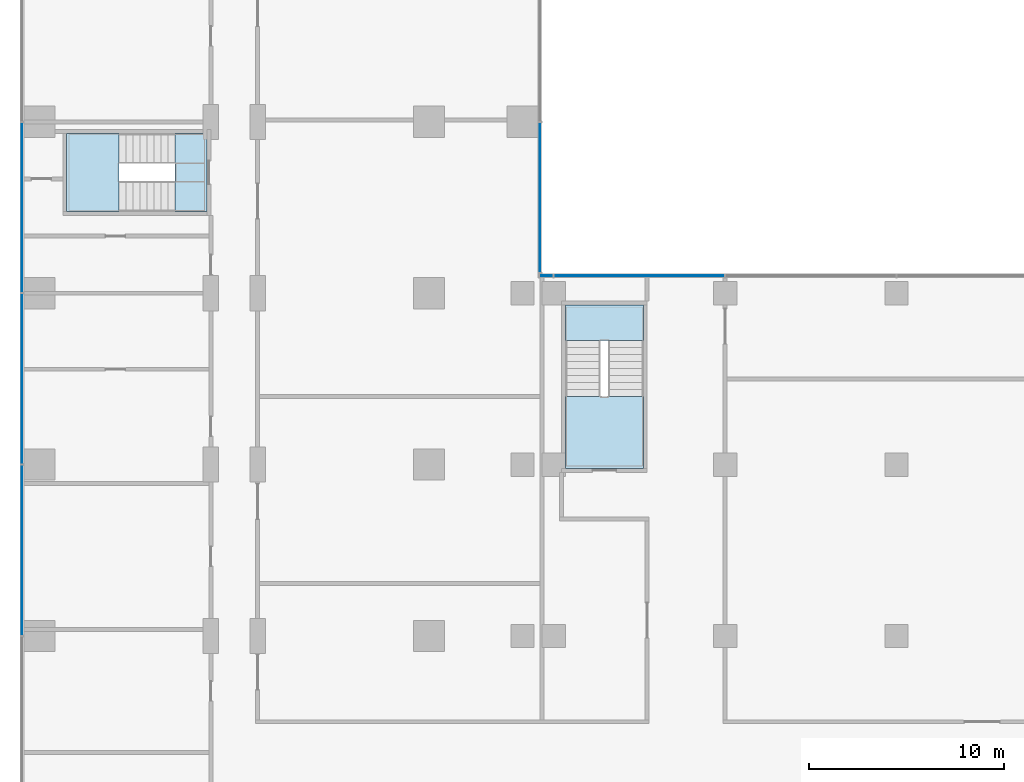
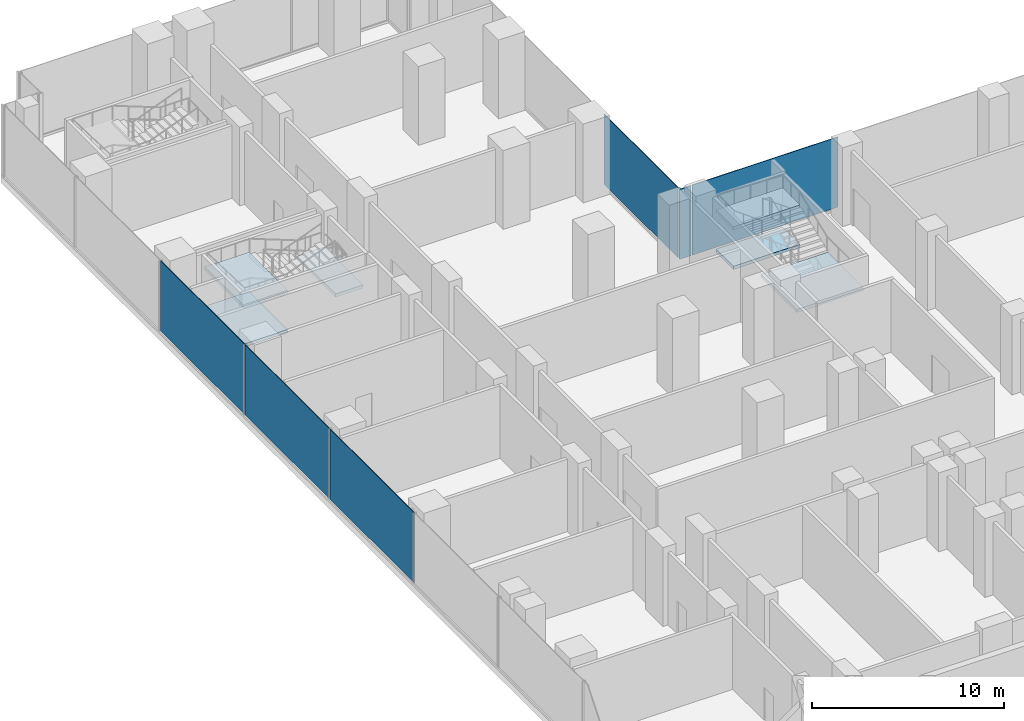
# One storey, part 14 of 30: 6 plates, 6 slabs, 5 elements without a shape of their own.
"""IFC4 building model written with IfcOpenShell, lengths in metres."""

from ifc_helpers import new_model, si_unit, direction, frame, origin, origin_2d, place, context, subcontext, project, spatial, polyline, rectangle, outline, extrude, source, transform, mapped, material, layer, layer_set, type_object, element, aggregate, save


model = new_model("IFC4")

# Units and contexts
model_context = context("Model", 3, precision=1e-05, world=origin(), true_north=direction((0.0, 1.0)))
body_context = subcontext(model_context, "Body", "Model", "MODEL_VIEW")
ifc_project = project(units=[si_unit("LENGTHUNIT", "METRE"), si_unit("AREAUNIT", "SQUARE_METRE"), si_unit("VOLUMEUNIT", "CUBIC_METRE"), si_unit("PLANEANGLEUNIT", "RADIAN"), si_unit("MASSUNIT", "GRAM", prefix="KILO")], contexts=[model_context])

# Site, building, storey
site_placement = place(None, origin())
site = spatial("IfcSite", under=ifc_project, at=site_placement, CompositionType="ELEMENT")
building_placement = place(site_placement, origin())
building = spatial("IfcBuilding", under=site, at=building_placement, Name="Kemantara Hotel Tower", CompositionType="ELEMENT")
storey_placement = place(building_placement, frame((0.0, 0.0, 13.0)))
storey = spatial("IfcBuildingStorey", under=building, at=storey_placement, Name="L02", CompositionType="ELEMENT", Elevation=13.0)

# Stair, slabs
ifc_material_1 = material(Name="Concrete fc 40 MPa", Category="concrete")
stair_type_1 = type_object("IfcStairType", Name="Stair 1550 wide 36 risers of 139 x 360 mm", PredefinedType="HALF_TURN_STAIR", material=ifc_material_1)
stair_1_placement = place(storey_placement, origin())
stair_1 = element("IfcStair", 1, at=stair_1_placement, inside=storey, type_object=stair_type_1, Name="L02 Exit stair ST4", PredefinedType="HALF_TURN_STAIR")
ifc_layer_1 = layer(ifc_material_1, 0.199951171875)
ifc_layer_set_1 = layer_set([ifc_layer_1], Name="Concrete fc 40 MPa")
slab_type = type_object("IfcSlabType", Name="Stair landing 200 mm", PredefinedType="LANDING", material=ifc_layer_set_1)
slab_1_placement = place(storey_placement, frame((0.0, 0.0, 1.050048828125)))
slab_1 = element("IfcSlab", 2, at=slab_1_placement, type_object=slab_type, Name="ST4 landing 1", PredefinedType="LANDING", context=body_context, shape_type="SweptSolid", body=[
    extrude(outline(polyline([(5.070068359375, 62.0), (2.39990234375, 62.0), (2.39990234375, 58.0), (5.070068359375, 58.0), (5.070068359375, 62.0)])), origin(), (0.0, 0.0, 1.0), 0.199951171875),
])
slab_2_placement = place(storey_placement, frame((0.0, 0.0, 2.300048828125)))
slab_2 = element("IfcSlab", 3, at=slab_2_placement, type_object=slab_type, Name="ST4 landing 2", PredefinedType="LANDING", context=body_context, shape_type="SweptSolid", body=[
    extrude(outline(polyline([(9.60009765625, 62.0), (7.949951171875, 62.0), (7.949951171875, 58.0), (9.60009765625, 58.0), (9.60009765625, 62.0)])), origin(), (0.0, 0.0, 1.0), 0.199951171875),
])
slab_3_placement = place(storey_placement, frame((0.0, 0.0, 3.550048828125)))
slab_3 = element("IfcSlab", 4, at=slab_3_placement, type_object=slab_type, Name="ST4 landing 3", PredefinedType="LANDING", context=body_context, shape_type="SweptSolid", body=[
    extrude(outline(polyline([(5.070068359375, 62.0), (2.39990234375, 62.0), (2.39990234375, 58.0), (5.070068359375, 58.0), (5.070068359375, 62.0)])), origin(), (0.0, 0.0, 1.0), 0.199951171875),
])
aggregate(stair_1, [slab_1, slab_2, slab_3])

stair_type_2 = type_object("IfcStairType", Name="Stair 1800 wide 36 risers of 139 x 360 mm", PredefinedType="HALF_TURN_STAIR", material=ifc_material_1)
stair_2_placement = place(storey_placement, origin())
stair_2 = element("IfcStair", 5, at=stair_2_placement, inside=storey, type_object=stair_type_2, Name="L02 Stair PS2", PredefinedType="HALF_TURN_STAIR")
slab_4_placement = place(storey_placement, frame((0.0, 0.0, 1.050048828125)))
slab_4 = element("IfcSlab", 6, at=slab_4_placement, type_object=slab_type, Name="PS2 landing 1", PredefinedType="LANDING", context=body_context, shape_type="SweptSolid", body=[
    extrude(outline(polyline([(32.0, 51.3798828125), (32.0, 53.199951171875), (28.0, 53.199951171875), (28.0, 51.3798828125), (32.0, 51.3798828125)])), origin(), (0.0, 0.0, 1.0), 0.199951171875),
])
slab_5_placement = place(storey_placement, frame((0.0, 0.0, 2.300048828125)))
slab_5 = element("IfcSlab", 7, at=slab_5_placement, type_object=slab_type, Name="PS2 landing 2", PredefinedType="LANDING", context=body_context, shape_type="SweptSolid", body=[
    extrude(outline(polyline([(32.0, 44.800048828125), (32.0, 48.5), (28.0, 48.5), (28.0, 44.800048828125), (32.0, 44.800048828125)])), origin(), (0.0, 0.0, 1.0), 0.199951171875),
])
slab_6_placement = place(storey_placement, frame((0.0, 0.0, 3.550048828125)))
slab_6 = element("IfcSlab", 8, at=slab_6_placement, type_object=slab_type, Name="PS2 landing 3", PredefinedType="LANDING", context=body_context, shape_type="SweptSolid", body=[
    extrude(outline(polyline([(32.0, 51.3798828125), (32.0, 53.199951171875), (28.0, 53.199951171875), (28.0, 51.3798828125), (32.0, 51.3798828125)])), origin(), (0.0, 0.0, 1.0), 0.199951171875),
])
aggregate(stair_2, [slab_4, slab_5, slab_6])

# Curtain wall, plate
ifc_material_2 = material(Name="Laminated tinted insulated glass 44 mm", Category="glass")
curtain_wall_type = type_object("IfcCurtainWallType", Name="PODIUM GLASS CURTAIN WALL", PredefinedType="USERDEFINED", material=ifc_material_2)
curtain_wall_1_placement = place(storey_placement, origin())
curtain_wall_1 = element("IfcCurtainWall", 9, at=curtain_wall_1_placement, inside=storey, type_object=curtain_wall_type, Name="CW1 L02 POD-R09-1", ObjectType="PODIUM GLASS CURTAIN WALL", PredefinedType="USERDEFINED")
ifc_layer_2 = layer(ifc_material_2, 0.0439453125)
ifc_layer_set_2 = layer_set([ifc_layer_2], Name="Laminated tinted insulated glass 44 mm")
plate_type = type_object("IfcPlateType", Name="PODIUM GLASS CURTAIN WALL PANEL", PredefinedType="CURTAIN_PANEL", material=ifc_layer_set_2)
shared_shape_1 = source(origin(), body_context, "Body", "SweptSolid", [
    extrude(rectangle(XDim=8.72509765625, YDim=0.0439453125, at=origin_2d()), origin(), (0.0, 0.0, 1.0), 4.449951171875),
])
plate_1_placement = place(storey_placement, frame((31.800048828125, 54.699951171875, 0.14990234375), z_axis=(0.0, 0.0, 1.0), x_axis=(-1.0, 0.0, 0.0)))
plate_1 = element("IfcPlate", 10, at=plate_1_placement, type_object=plate_type, Name="CW1 glass panel POD-R09-1.5", PredefinedType="CURTAIN_PANEL", context=body_context, shape_type="MappedRepresentation", body=[
    mapped(shared_shape_1, transform((0.0, 0.0, 0.0))),
])

# Curtain wall, plates
curtain_wall_2_placement = place(storey_placement, origin())
curtain_wall_2 = element("IfcCurtainWall", 11, at=curtain_wall_2_placement, inside=storey, type_object=curtain_wall_type, Name="CW1 L02 POD-R16-1", ObjectType="PODIUM GLASS CURTAIN WALL", PredefinedType="USERDEFINED")
plate_2_placement = place(storey_placement, frame((0.10009765625, 58.199951171875, 0.14990234375), z_axis=(0.0, 0.0, 1.0), x_axis=(0.0, -1.0, 0.0)))
plate_2 = element("IfcPlate", 12, at=plate_2_placement, type_object=plate_type, Name="CW1 glass panel POD-R16-1.3", PredefinedType="CURTAIN_PANEL", context=body_context, shape_type="MappedRepresentation", body=[
    mapped(shared_shape_1, transform((0.0, 0.0, 0.0))),
])
plate_3_placement = place(storey_placement, frame((0.10009765625, 49.39990234375, 0.14990234375), z_axis=(0.0, 0.0, 1.0), x_axis=(0.0, -1.0, 0.0)))
plate_3 = element("IfcPlate", 13, at=plate_3_placement, type_object=plate_type, Name="CW1 glass panel POD-R16-1.4", PredefinedType="CURTAIN_PANEL", context=body_context, shape_type="MappedRepresentation", body=[
    mapped(shared_shape_1, transform((0.0, 0.0, 0.0))),
])
plate_4_placement = place(storey_placement, frame((0.10009765625, 40.60009765625, 0.14990234375), z_axis=(0.0, 0.0, 1.0), x_axis=(0.0, -1.0, 0.0)))
plate_4 = element("IfcPlate", 14, at=plate_4_placement, type_object=plate_type, Name="CW1 glass panel POD-R16-1.5", PredefinedType="CURTAIN_PANEL", context=body_context, shape_type="MappedRepresentation", body=[
    mapped(shared_shape_1, transform((0.0, 0.0, 0.0))),
])
aggregate(curtain_wall_2, [plate_2, plate_3, plate_4])

# Plate
shared_shape_2 = source(origin(), body_context, "Body", "SweptSolid", [
    extrude(rectangle(XDim=0.6875, YDim=0.0439453125, at=origin_2d()), origin(), (0.0, 0.0, 1.0), 4.449951171875),
])
plate_5_placement = place(storey_placement, frame((27.018798828125, 54.699951171875, 0.14990234375), z_axis=(0.0, 0.0, 1.0), x_axis=(-1.0, 0.0, 0.0)))
plate_5 = element("IfcPlate", 15, at=plate_5_placement, type_object=plate_type, Name="CW1 glass panel POD-R09-1.6", PredefinedType="CURTAIN_PANEL", context=body_context, shape_type="MappedRepresentation", body=[
    mapped(shared_shape_2, transform((0.0, 0.0, 0.0))),
])

aggregate(curtain_wall_1, [plate_1, plate_5])

# Curtain wall, plate
curtain_wall_3_placement = place(storey_placement, origin())
curtain_wall_3 = element("IfcCurtainWall", 16, at=curtain_wall_3_placement, inside=storey, type_object=curtain_wall_type, Name="CW1 L02 POD-R10-1", ObjectType="PODIUM GLASS CURTAIN WALL", PredefinedType="USERDEFINED")
shared_shape_3 = source(origin(), body_context, "Body", "SweptSolid", [
    extrude(rectangle(XDim=7.6875, YDim=0.0439453125, at=origin_2d()), origin(), (0.0, 0.0, 1.0), 4.449951171875),
])
plate_6_placement = place(storey_placement, frame((26.699951171875, 58.71875, 0.14990234375), z_axis=(0.0, 0.0, 1.0), x_axis=(0.0, 1.0, 0.0)))
plate_6 = element("IfcPlate", 17, at=plate_6_placement, type_object=plate_type, Name="CW1 glass panel POD-R10-1.1", PredefinedType="CURTAIN_PANEL", context=body_context, shape_type="MappedRepresentation", body=[
    mapped(shared_shape_3, transform((0.0, 0.0, 0.0))),
])
aggregate(curtain_wall_3, [plate_6])

save(model, "model.ifc")
